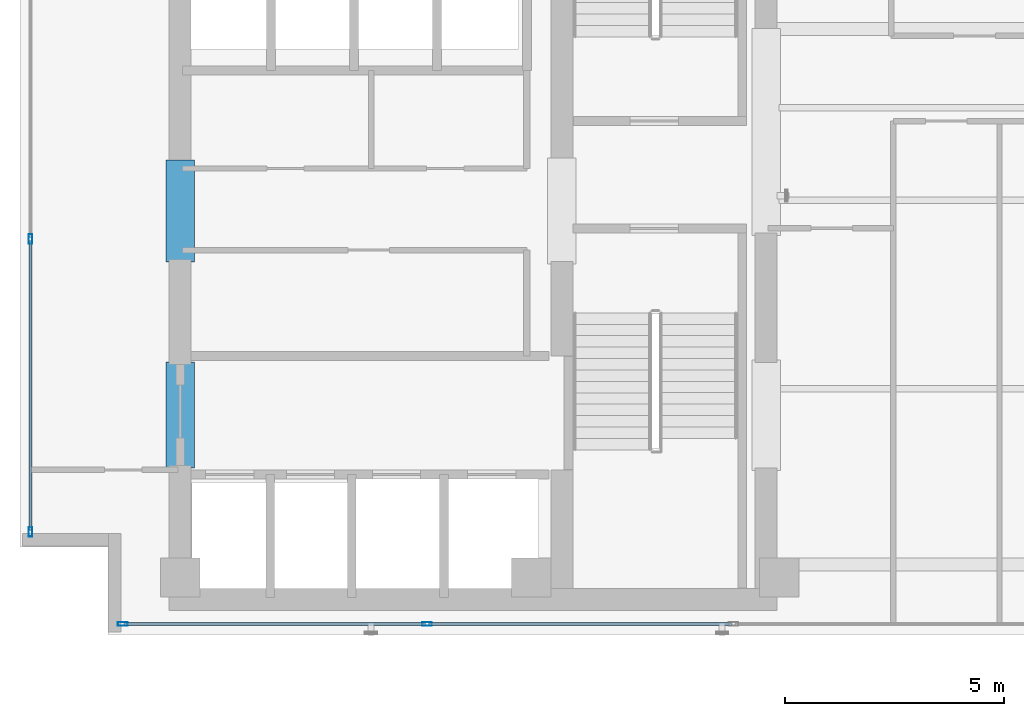
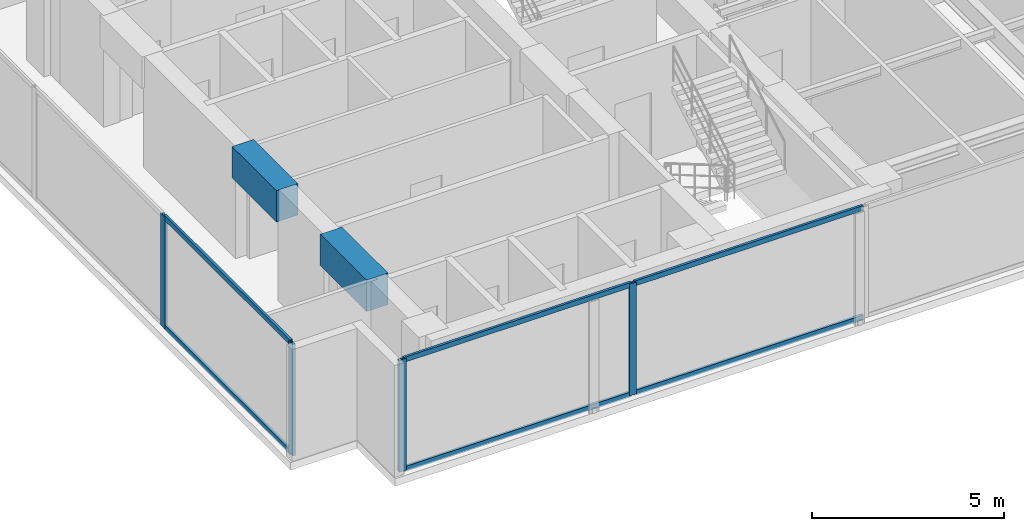
# One storey, part 2 of 23: 10 members, 2 beams, 2 elements without a shape of their own.
"""IFC4 building model written with IfcOpenShell, lengths in metres."""

import ifcopenshell
import ifcopenshell.guid

model = None  # the IFC model being written
_history = None  # IfcOwnerHistory: only IFC2X3 demands one
_inside = {}  # id of a spatial element -> (the spatial element, [elements in it])
_under = {}  # id of a project, library or spatial element -> (it, [spatial elements below it])
_declared = {}  # id of a project -> (the project, [libraries it declares])
_typed = {}  # id of a type object -> (the type object, [elements of that type])
_made_of = {}  # id of a material, layer set ... -> (it, [elements and type objects made of it])


def new_model(schema):
    """Start an empty IFC model of exactly this schema.

    Asked for "IFC4X3", IfcOpenShell would pick the latest addendum, in which some entities
    have other attributes; the version numbers below select the first issue.
    IFC2X3 requires an IfcOwnerHistory on every rooted entity: one is made here for all.
    """
    global model, _history
    if schema == "IFC4X3":
        model = ifcopenshell.file(schema_version=(4, 3, 0, 0))
    else:
        model = ifcopenshell.file(schema=schema)
    _inside.clear()
    _under.clear()
    _declared.clear()
    _typed.clear()
    _made_of.clear()
    _history = None
    if model.schema == "IFC2X3":
        org = make("IfcOrganization", Name="unknown")
        user = make(
            "IfcPersonAndOrganization",
            ThePerson=make("IfcPerson", FamilyName="unknown"),
            TheOrganization=org,
        )
        app = make(
            "IfcApplication",
            ApplicationDeveloper=org,
            Version="unknown",
            ApplicationFullName="unknown",
            ApplicationIdentifier="unknown",
        )
        _history = make(
            "IfcOwnerHistory",
            OwningUser=user,
            OwningApplication=app,
            ChangeAction="ADDED",
            CreationDate=0,
        )
    return model


def make(cls, **values):
    """One entity of the class cls with the attributes given. An attribute that is None is left unset."""
    return model.create_entity(
        cls, **{name: value for name, value in values.items() if value is not None}
    )


def rooted(cls, **values):
    """An entity with a GlobalId (a new one), such as an element, a storey or a relation."""
    return make(cls, GlobalId=ifcopenshell.guid.new(), OwnerHistory=_history, **values)


def si_unit(unit_type, name, prefix=None):
    """IfcSIUnit, for example si_unit("LENGTHUNIT", "METRE", prefix="MILLI")."""
    return make("IfcSIUnit", UnitType=unit_type, Prefix=prefix, Name=name)


def assignment(units):
    """IfcUnitAssignment: the units of a project."""
    return None if units is None else make("IfcUnitAssignment", Units=units)


def point(xyz):
    """IfcCartesianPoint."""
    return None if xyz is None else make("IfcCartesianPoint", Coordinates=xyz)


def direction(xyz):
    """IfcDirection."""
    return None if xyz is None else make("IfcDirection", DirectionRatios=xyz)


def frame(location, z_axis=None, x_axis=None):
    """IfcAxis2Placement3D, a coordinate frame: its origin and axes. An axis left out is left unset."""
    return make(
        "IfcAxis2Placement3D",
        Location=point(location),
        Axis=direction(z_axis),
        RefDirection=direction(x_axis),
    )


def frame_2d(location, x_axis=None):
    """IfcAxis2Placement2D, a coordinate frame in the plane: its origin and x axis."""
    return make(
        "IfcAxis2Placement2D", Location=point(location), RefDirection=direction(x_axis)
    )


def origin():
    """The frame at (0, 0, 0) with its axes left unset."""
    return frame((0.0, 0.0, 0.0))


def origin_with_axes():
    """The frame at (0, 0, 0) with the z axis (0, 0, 1) and the x axis (1, 0, 0) written out."""
    return frame((0.0, 0.0, 0.0), z_axis=(0.0, 0.0, 1.0), x_axis=(1.0, 0.0, 0.0))


def origin_2d():
    """The frame at (0, 0) in the plane with its x axis left unset."""
    return frame_2d((0.0, 0.0))


def place(relative_to, where):
    """IfcLocalPlacement: puts the frame where relative to a parent placement (None: the world)."""
    return make(
        "IfcLocalPlacement", PlacementRelTo=relative_to, RelativePlacement=where
    )


def context(
    kind, dimensions, precision=None, world=None, true_north=None, identifier=None
):
    """IfcGeometricRepresentationContext, for example the 3D "Model" context."""
    return make(
        "IfcGeometricRepresentationContext",
        ContextIdentifier=identifier,
        ContextType=kind,
        CoordinateSpaceDimension=dimensions,
        Precision=precision,
        WorldCoordinateSystem=world,
        TrueNorth=true_north,
    )


def subcontext(parent, identifier, kind, view, scale=None):
    """IfcGeometricRepresentationSubContext, for example "Body" below "Model"."""
    return make(
        "IfcGeometricRepresentationSubContext",
        ContextIdentifier=identifier,
        ContextType=kind,
        ParentContext=parent,
        TargetScale=scale,
        TargetView=view,
    )


def project(units=None, contexts=None):
    """IfcProject with its units and contexts."""
    return rooted(
        "IfcProject",
        Name="project",
        RepresentationContexts=contexts,
        UnitsInContext=assignment(units),
    )


def spatial(cls, under=None, at=None, **own):
    """A site, building, storey or space (cls), placed at a placement, below another one or the project."""
    s = rooted(cls, ObjectPlacement=at, **own)
    if under is not None:
        _under.setdefault(under.id(), (under, []))[1].append(s)
    return s


def profile(cls, at=None, kind="AREA", **sizes):
    """A parametric profile (cls). Its sizes go by their IFC names, for example OverallWidth=200.0."""
    return make(cls, ProfileType=kind, Position=at, **sizes)


def rectangle(**sizes):
    """IfcRectangleProfileDef."""
    return profile("IfcRectangleProfileDef", **sizes)


def hollow_rectangle(**sizes):
    """IfcRectangleHollowProfileDef."""
    return profile("IfcRectangleHollowProfileDef", **sizes)


def extrude(swept, where, along, depth):
    """IfcExtrudedAreaSolid: the profile swept, set in the frame where, extruded along a direction by depth."""
    return make(
        "IfcExtrudedAreaSolid",
        SweptArea=swept,
        Position=where,
        ExtrudedDirection=direction(along),
        Depth=depth,
    )


def shape(context_of_items, identifier, shape_type, items):
    """IfcShapeRepresentation: the items that make up one representation, for example the "Body"."""
    return make(
        "IfcShapeRepresentation",
        ContextOfItems=context_of_items,
        RepresentationIdentifier=identifier,
        RepresentationType=shape_type,
        Items=items,
    )


def source(mapping_origin, context_of_items, identifier, shape_type, items):
    """IfcRepresentationMap: a shape defined once, which mapped items show again and again."""
    return make(
        "IfcRepresentationMap",
        MappingOrigin=mapping_origin,
        MappedRepresentation=shape(context_of_items, identifier, shape_type, items),
    )


def transform(
    local_origin,
    x_axis=None,
    y_axis=None,
    z_axis=None,
    scale=None,
    scale2=None,
    scale3=None,
    uniform=True,
):
    """IfcCartesianTransformationOperator3D, or its non-uniform kind. x_axis, y_axis, z_axis: its Axis1, 2, 3."""
    if uniform:
        return make(
            "IfcCartesianTransformationOperator3D",
            Axis1=direction(x_axis),
            Axis2=direction(y_axis),
            LocalOrigin=point(local_origin),
            Scale=scale,
            Axis3=direction(z_axis),
        )
    return make(
        "IfcCartesianTransformationOperator3DnonUniform",
        Axis1=direction(x_axis),
        Axis2=direction(y_axis),
        LocalOrigin=point(local_origin),
        Scale=scale,
        Axis3=direction(z_axis),
        Scale2=scale2,
        Scale3=scale3,
    )


def mapped(mapping_source, mapping_target):
    """IfcMappedItem: shows the shape of a source again, moved by a transform."""
    return make(
        "IfcMappedItem", MappingSource=mapping_source, MappingTarget=mapping_target
    )


def material(Name=None, Category=None):
    """IfcMaterial."""
    return make("IfcMaterial", Name=Name, Category=Category)


def layer(
    of_material, thickness, ventilated=None, Name=None, Category=None, Priority=None
):
    """IfcMaterialLayer: one layer of a wall or slab, of a material (None: an air gap)."""
    return make(
        "IfcMaterialLayer",
        Material=of_material,
        LayerThickness=thickness,
        IsVentilated=ventilated,
        Name=Name,
        Category=Category,
        Priority=Priority,
    )


def layer_set(layers, Name=None):
    """IfcMaterialLayerSet."""
    return make("IfcMaterialLayerSet", MaterialLayers=layers, LayerSetName=Name)


def material_profile(
    of_material, cross_section, Name=None, Category=None, Priority=None
):
    """IfcMaterialProfile: a cross section and its material."""
    return make(
        "IfcMaterialProfile",
        Name=Name,
        Material=of_material,
        Profile=cross_section,
        Priority=Priority,
        Category=Category,
    )


def profile_set(profiles, Name=None, composite=None):
    """IfcMaterialProfileSet."""
    return make(
        "IfcMaterialProfileSet",
        Name=Name,
        MaterialProfiles=profiles,
        CompositeProfile=composite,
    )


def made_of(thing, what):
    """Note that an element or type object is made of a material, layer set ...; save() writes the relation."""
    if what is not None:
        _made_of.setdefault(what.id(), (what, []))[1].append(thing)
    return thing


def type_object(cls, material=None, **own):
    """A type object (cls), such as IfcWallType, which elements share."""
    return made_of(rooted(cls, **own), material)


def element(
    cls,
    number,
    at=None,
    inside=None,
    cuts=None,
    type_object=None,
    material=None,
    context=None,
    identifier="Body",
    shape_type=None,
    held_by="IfcProductDefinitionShape",
    body=None,
    shapes=None,
    **own,
):
    """One element of the class cls, such as IfcWall. Its Tag is "e" and its number.

    at: its placement. inside: the storey or other place that contains it. cuts: it is an
    opening in that element (IfcRelVoidsElement). A single representation is given by context,
    identifier, shape_type and body (its items); several are given by shapes. held_by: the class
    of the entity that holds the representations. save() writes the other relations.
    """
    e = rooted(cls, Tag="e%d" % number, ObjectPlacement=at, **own)
    if body is not None:
        shapes = [shape(context, identifier, shape_type, body)]
    if shapes is not None:
        e.Representation = make(held_by, Representations=shapes)
    if inside is not None:
        _inside.setdefault(inside.id(), (inside, []))[1].append(e)
    if cuts is not None:
        rooted(
            "IfcRelVoidsElement", RelatingBuildingElement=cuts, RelatedOpeningElement=e
        )
    if type_object is not None:
        _typed.setdefault(type_object.id(), (type_object, []))[1].append(e)
    return made_of(e, material)


def aggregate(whole, parts):
    """IfcRelAggregates: a whole, such as a stair, and the parts it consists of."""
    return rooted("IfcRelAggregates", RelatingObject=whole, RelatedObjects=parts)


def save(model, path):
    """Write the relations noted so far, then the file.

    IfcRelAggregates (storeys below a building ...), IfcRelContainedInSpatialStructure (elements
    in a storey), IfcRelDefinesByType, IfcRelAssociatesMaterial and IfcRelDeclares: one each for
    every whole, place, type object, material and project.
    """
    for whole, parts in _under.values():
        aggregate(whole, parts)
    for where, things in _inside.values():
        rooted(
            "IfcRelContainedInSpatialStructure",
            RelatedElements=things,
            RelatingStructure=where,
        )
    for kind, things in _typed.values():
        rooted("IfcRelDefinesByType", RelatedObjects=things, RelatingType=kind)
    for what, things in _made_of.values():
        rooted("IfcRelAssociatesMaterial", RelatedObjects=things, RelatingMaterial=what)
    for by, libraries in _declared.values():
        rooted("IfcRelDeclares", RelatingContext=by, RelatedDefinitions=libraries)
    model.write(path)


model = new_model("IFC4")

# Units and contexts
model_context = context("Model", 3, precision=1e-05, world=origin(), true_north=direction((0.0, 1.0)))
body_context = subcontext(model_context, "Body", "Model", "MODEL_VIEW")
ifc_project = project(units=[si_unit("LENGTHUNIT", "METRE"), si_unit("AREAUNIT", "SQUARE_METRE"), si_unit("VOLUMEUNIT", "CUBIC_METRE"), si_unit("PLANEANGLEUNIT", "RADIAN"), si_unit("MASSUNIT", "GRAM", prefix="KILO")], contexts=[model_context])

# Site, building, storey
site_placement = place(None, origin())
site = spatial("IfcSite", under=ifc_project, at=site_placement, CompositionType="ELEMENT")
building_placement = place(site_placement, origin())
building = spatial("IfcBuilding", under=site, at=building_placement, Name="Kolvaren Waterfront Exchange", CompositionType="ELEMENT")
storey_placement = place(building_placement, frame((0.0, 0.0, 297.0)))
storey = spatial("IfcBuildingStorey", under=building, at=storey_placement, Name="L76", CompositionType="ELEMENT", Elevation=297.0)

# Beams
ifc_material_1 = material(Name="Concrete C60/75", Category="concrete")
ifc_material_profile_1 = material_profile(ifc_material_1, rectangle(XDim=0.64990234375, YDim=1.0, at=origin_2d()), Name="RC-CB-1000x650")
ifc_profile_set_1 = profile_set([ifc_material_profile_1], Name="Concrete C60/75")
beam_type = type_object("IfcBeamType", Name="STR-CB-1000", PredefinedType="SPANDREL", material=ifc_profile_set_1)
beam_1_placement = place(storey_placement, frame((7.449951171875, 7.389892578125, 3.06005859375), z_axis=(0.0, 1.0, 0.0), x_axis=(-1.0, 0.0, 0.0)))
element("IfcBeam", 1, at=beam_1_placement, inside=storey, type_object=beam_type, Name="L76 core coupling beam 3", PredefinedType="SPANDREL", context=body_context, shape_type="SweptSolid", body=[
    extrude(rectangle(XDim=0.64990234375, YDim=1.0, at=origin_2d()), origin(), (0.0, 0.0, 1.0), 2.420166015625),
])
beam_2_placement = place(storey_placement, frame((7.449951171875, 12.090087890625, 3.06005859375), z_axis=(0.0, 1.0, 0.0), x_axis=(-1.0, 0.0, 0.0)))
element("IfcBeam", 2, at=beam_2_placement, inside=storey, type_object=beam_type, Name="L76 core coupling beam 4", PredefinedType="SPANDREL", context=body_context, shape_type="SweptSolid", body=[
    extrude(rectangle(XDim=0.64990234375, YDim=1.0, at=origin_2d()), origin(), (0.0, 0.0, 1.0), 2.31982421875),
])

# Curtain wall, members
ifc_material_2 = material(Name="Anodised bronze aluminium 6063-T6", Category="aluminium")
ifc_layer_1 = layer(ifc_material_2, 0.219970703125, Name="Anodised bronze aluminium 6063-T6")
ifc_layer_set_1 = layer_set([ifc_layer_1], Name="Anodised bronze aluminium 6063-T6")
curtain_wall_type_1 = type_object("IfcCurtainWallType", Name="ARC-CW-SYS1", PredefinedType="USERDEFINED", material=ifc_layer_set_1)
curtain_wall_1_placement = place(storey_placement, origin())
curtain_wall_1 = element("IfcCurtainWall", 3, at=curtain_wall_1_placement, inside=storey, type_object=curtain_wall_type_1, Name="L76 stick curtain wall CW1 (CW-L76-S)", ObjectType="STICK CURTAIN WALL", PredefinedType="USERDEFINED")
ifc_material_3 = material(Name="Anodised aluminium 6063-T6", Category="aluminium")
ifc_material_profile_2 = material_profile(ifc_material_3, hollow_rectangle(XDim=0.080078125, YDim=0.219970703125, WallThickness=0.0048828125, at=origin_2d()), Name="ALU-MUL-220x80x5")
ifc_profile_set_2 = profile_set([ifc_material_profile_2], Name="Anodised aluminium 6063-T6")
member_type_1 = type_object("IfcMemberType", Name="ARC-CWM-220", PredefinedType="MULLION", material=ifc_profile_set_2)
shared_shape_1 = source(origin_with_axes(), body_context, "Body", "SweptSolid", [
    extrude(hollow_rectangle(XDim=0.080078125, YDim=0.219970703125, WallThickness=0.0048828125, at=origin_2d()), origin(), (0.0, 0.0, 1.0), 3.56005859375),
])
member_1_placement = place(storey_placement, frame((6.139892578125, 3.840087890625, 0.0), z_axis=(0.0, 0.0, 1.0), x_axis=(0.0, 1.0, 0.0)))
member_1 = element("IfcMember", 4, at=member_1_placement, type_object=member_type_1, Name="CW1 mullion 1", PredefinedType="MULLION", context=body_context, shape_type="MappedRepresentation", body=[
    mapped(shared_shape_1, transform((0.0, 0.0, 0.0), x_axis=(1.0, 0.0, 0.0), y_axis=(0.0, 1.0, 0.0), z_axis=(0.0, 0.0, 1.0), scale=1.0)),
])
member_2_placement = place(storey_placement, frame((13.078125, 3.840087890625, 0.0), z_axis=(0.0, 0.0, 1.0), x_axis=(0.0, 1.0, 0.0)))
member_2 = element("IfcMember", 5, at=member_2_placement, type_object=member_type_1, Name="CW1 mullion 2", PredefinedType="MULLION", context=body_context, shape_type="MappedRepresentation", body=[
    mapped(shared_shape_1, transform((0.0, 0.0, 0.0), x_axis=(1.0, 0.0, 0.0), y_axis=(0.0, 1.0, 0.0), z_axis=(0.0, 0.0, 1.0), scale=1.0)),
])

ifc_layer_2 = layer(ifc_material_3, 0.219970703125, Name="Anodised aluminium 6063-T6")
ifc_layer_set_2 = layer_set([ifc_layer_2], Name="Anodised aluminium 6063-T6")
curtain_wall_type_2 = type_object("IfcCurtainWallType", Name="ARC-CW-SYS2", PredefinedType="USERDEFINED", material=ifc_layer_set_2)
curtain_wall_2_placement = place(storey_placement, origin())
curtain_wall_2 = element("IfcCurtainWall", 6, at=curtain_wall_2_placement, inside=storey, type_object=curtain_wall_type_2, Name="L76 stick curtain wall CW2 (CW-L76-W)", ObjectType="STICK CURTAIN WALL", PredefinedType="USERDEFINED")
member_3_placement = place(storey_placement, frame((4.0400390625, 5.93994140625, 0.0), z_axis=(0.0, 0.0, 1.0), x_axis=(-1.0, 0.0, 0.0)))
member_3 = element("IfcMember", 7, at=member_3_placement, type_object=member_type_1, Name="CW2 mullion 1", PredefinedType="MULLION", context=body_context, shape_type="MappedRepresentation", body=[
    mapped(shared_shape_1, transform((0.0, 0.0, 0.0), x_axis=(1.0, 0.0, 0.0), y_axis=(0.0, 1.0, 0.0), z_axis=(0.0, 0.0, 1.0), scale=1.0)),
])
member_4_placement = place(storey_placement, frame((4.0400390625, 12.611328125, 0.0), z_axis=(0.0, 0.0, 1.0), x_axis=(-1.0, 0.0, 0.0)))
member_4 = element("IfcMember", 8, at=member_4_placement, type_object=member_type_1, Name="CW2 mullion 2", PredefinedType="MULLION", context=body_context, shape_type="MappedRepresentation", body=[
    mapped(shared_shape_1, transform((0.0, 0.0, 0.0), x_axis=(1.0, 0.0, 0.0), y_axis=(0.0, 1.0, 0.0), z_axis=(0.0, 0.0, 1.0), scale=1.0)),
])

# Member
ifc_material_profile_3 = material_profile(ifc_material_3, hollow_rectangle(XDim=0.074951171875, YDim=0.159912109375, WallThickness=0.00439453125, at=origin_2d()), Name="ALU-TRN-160x75x4.5")
ifc_profile_set_3 = profile_set([ifc_material_profile_3], Name="Anodised aluminium 6063-T6")
member_type_2 = type_object("IfcMemberType", Name="ARC-CWT-160", PredefinedType="USERDEFINED", material=ifc_profile_set_3)
shared_shape_2 = source(origin_with_axes(), body_context, "Body", "SweptSolid", [
    extrude(hollow_rectangle(XDim=0.074951171875, YDim=0.159912109375, WallThickness=0.00439453125, at=origin_2d()), origin(), (0.0, 0.0, 1.0), 6.858154296875),
])
member_5_placement = place(storey_placement, frame((6.179931640625, 3.840087890625, 0.03759765625), z_axis=(1.0, 0.0, 0.0), x_axis=(0.0, 1.0, 0.0)))
member_5 = element("IfcMember", 9, at=member_5_placement, type_object=member_type_2, Name="CW1 transom 1.1", ObjectType="TRANSOM", PredefinedType="USERDEFINED", context=body_context, shape_type="MappedRepresentation", body=[
    mapped(shared_shape_2, transform((0.0, 0.0, 0.0), x_axis=(1.0, 0.0, 0.0), y_axis=(0.0, 1.0, 0.0), z_axis=(0.0, 0.0, 1.0), scale=1.0)),
])

member_6_placement = place(storey_placement, frame((6.179931640625, 3.840087890625, 3.5224609375), z_axis=(1.0, 0.0, 0.0), x_axis=(0.0, 1.0, 0.0)))
member_6 = element("IfcMember", 10, at=member_6_placement, type_object=member_type_2, Name="CW1 transom 1.2", ObjectType="TRANSOM", PredefinedType="USERDEFINED", context=body_context, shape_type="MappedRepresentation", body=[
    mapped(shared_shape_2, transform((0.0, 0.0, 0.0), x_axis=(1.0, 0.0, 0.0), y_axis=(0.0, 1.0, 0.0), z_axis=(0.0, 0.0, 1.0), scale=1.0)),
])

shared_shape_3 = source(origin_with_axes(), body_context, "Body", "SweptSolid", [
    extrude(hollow_rectangle(XDim=0.074951171875, YDim=0.159912109375, WallThickness=0.00439453125, at=origin_2d()), origin(), (0.0, 0.0, 1.0), 6.89794921875),
])
member_7_placement = place(storey_placement, frame((13.1181640625, 3.840087890625, 0.03759765625), z_axis=(1.0, 0.0, 0.0), x_axis=(0.0, 1.0, 0.0)))
member_7 = element("IfcMember", 11, at=member_7_placement, type_object=member_type_2, Name="CW1 transom 2.1", ObjectType="TRANSOM", PredefinedType="USERDEFINED", context=body_context, shape_type="MappedRepresentation", body=[
    mapped(shared_shape_3, transform((0.0, 0.0, 0.0), x_axis=(1.0, 0.0, 0.0), y_axis=(0.0, 1.0, 0.0), z_axis=(0.0, 0.0, 1.0), scale=1.0)),
])

member_8_placement = place(storey_placement, frame((13.1181640625, 3.840087890625, 3.5224609375), z_axis=(1.0, 0.0, 0.0), x_axis=(0.0, 1.0, 0.0)))
member_8 = element("IfcMember", 12, at=member_8_placement, type_object=member_type_2, Name="CW1 transom 2.2", ObjectType="TRANSOM", PredefinedType="USERDEFINED", context=body_context, shape_type="MappedRepresentation", body=[
    mapped(shared_shape_3, transform((0.0, 0.0, 0.0), x_axis=(1.0, 0.0, 0.0), y_axis=(0.0, 1.0, 0.0), z_axis=(0.0, 0.0, 1.0), scale=1.0)),
])

aggregate(curtain_wall_1, [member_1, member_2, member_5, member_6, member_7, member_8])

shared_shape_4 = source(origin_with_axes(), body_context, "Body", "SweptSolid", [
    extrude(hollow_rectangle(XDim=0.074951171875, YDim=0.159912109375, WallThickness=0.00439453125, at=origin_2d()), origin(), (0.0, 0.0, 1.0), 6.59130859375),
])
member_9_placement = place(storey_placement, frame((4.0400390625, 5.97998046875, 0.03759765625), z_axis=(0.0, 1.0, 0.0), x_axis=(-1.0, 0.0, 0.0)))
member_9 = element("IfcMember", 13, at=member_9_placement, type_object=member_type_2, Name="CW2 transom 1.1", ObjectType="TRANSOM", PredefinedType="USERDEFINED", context=body_context, shape_type="MappedRepresentation", body=[
    mapped(shared_shape_4, transform((0.0, 0.0, 0.0), x_axis=(1.0, 0.0, 0.0), y_axis=(0.0, 1.0, 0.0), z_axis=(0.0, 0.0, 1.0), scale=1.0)),
])

member_10_placement = place(storey_placement, frame((4.0400390625, 5.97998046875, 3.5224609375), z_axis=(0.0, 1.0, 0.0), x_axis=(-1.0, 0.0, 0.0)))
member_10 = element("IfcMember", 14, at=member_10_placement, type_object=member_type_2, Name="CW2 transom 1.2", ObjectType="TRANSOM", PredefinedType="USERDEFINED", context=body_context, shape_type="MappedRepresentation", body=[
    mapped(shared_shape_4, transform((0.0, 0.0, 0.0), x_axis=(1.0, 0.0, 0.0), y_axis=(0.0, 1.0, 0.0), z_axis=(0.0, 0.0, 1.0), scale=1.0)),
])

aggregate(curtain_wall_2, [member_3, member_4, member_9, member_10])

save(model, "model.ifc")
